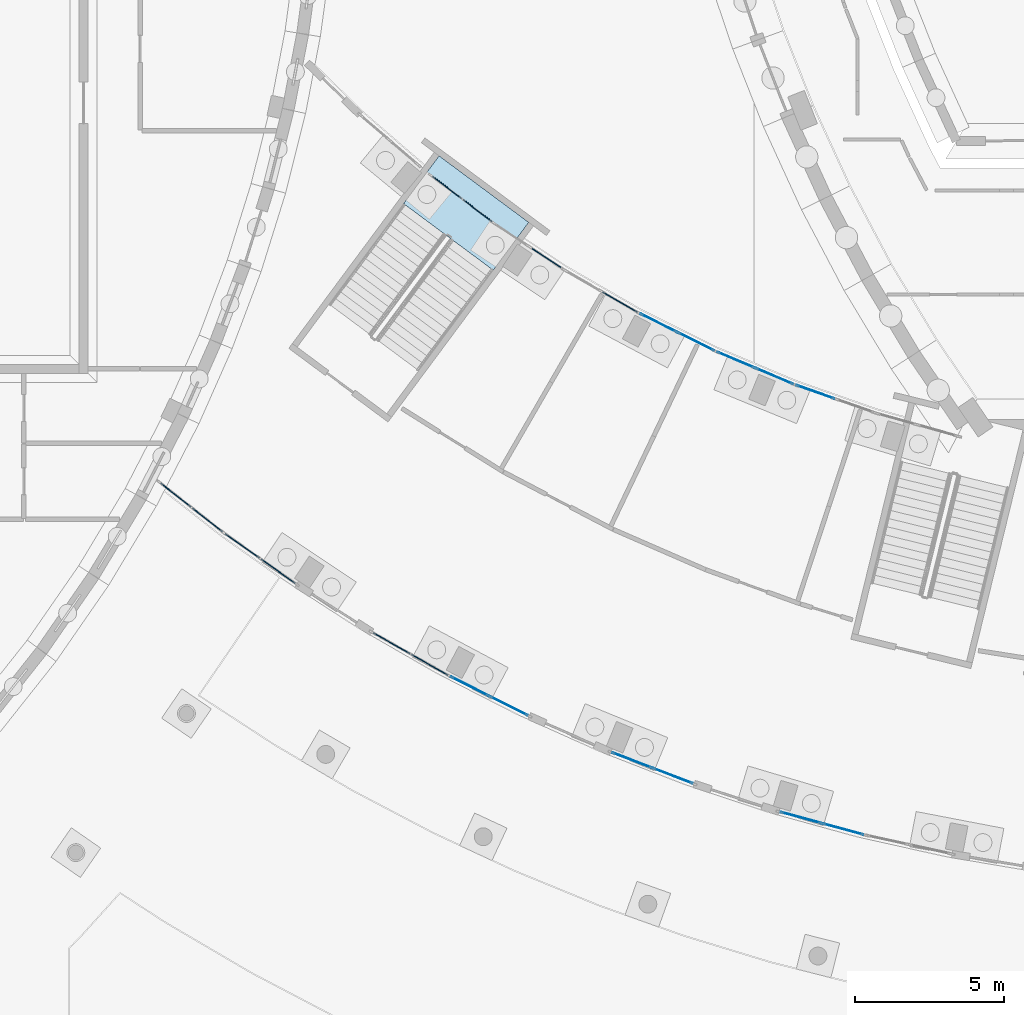
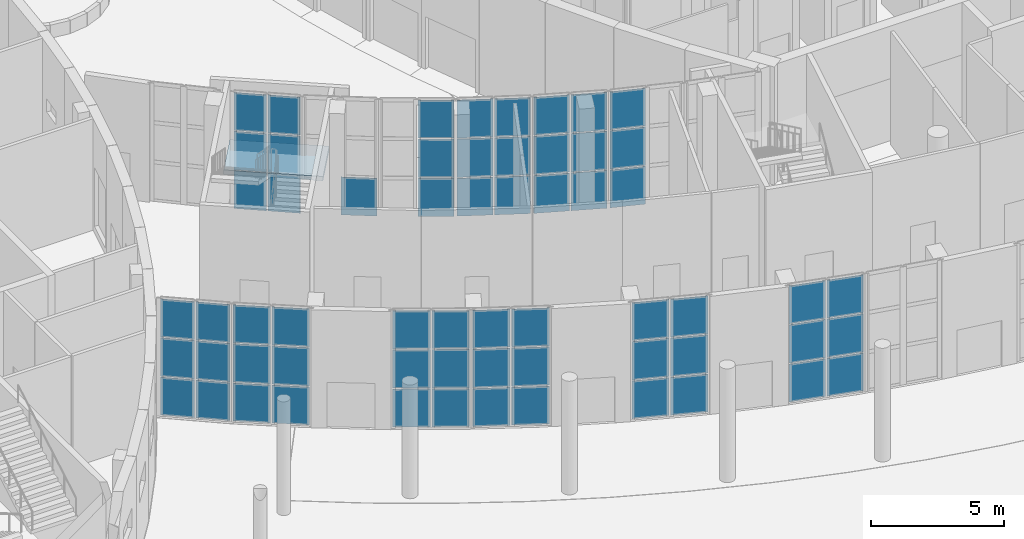
# One storey, part 28 of 82: 61 plates, 1 slab, 13 elements without a shape of their own.
"""IFC4 building model written with IfcOpenShell, lengths in metres."""

import ifcopenshell
import ifcopenshell.guid

model = None  # the IFC model being written
_history = None  # IfcOwnerHistory: only IFC2X3 demands one
_inside = {}  # id of a spatial element -> (the spatial element, [elements in it])
_under = {}  # id of a project, library or spatial element -> (it, [spatial elements below it])
_declared = {}  # id of a project -> (the project, [libraries it declares])
_typed = {}  # id of a type object -> (the type object, [elements of that type])
_made_of = {}  # id of a material, layer set ... -> (it, [elements and type objects made of it])


def new_model(schema):
    """Start an empty IFC model of exactly this schema.

    Asked for "IFC4X3", IfcOpenShell would pick the latest addendum, in which some entities
    have other attributes; the version numbers below select the first issue.
    IFC2X3 requires an IfcOwnerHistory on every rooted entity: one is made here for all.
    """
    global model, _history
    if schema == "IFC4X3":
        model = ifcopenshell.file(schema_version=(4, 3, 0, 0))
    else:
        model = ifcopenshell.file(schema=schema)
    _inside.clear()
    _under.clear()
    _declared.clear()
    _typed.clear()
    _made_of.clear()
    _history = None
    if model.schema == "IFC2X3":
        org = make("IfcOrganization", Name="unknown")
        user = make(
            "IfcPersonAndOrganization",
            ThePerson=make("IfcPerson", FamilyName="unknown"),
            TheOrganization=org,
        )
        app = make(
            "IfcApplication",
            ApplicationDeveloper=org,
            Version="unknown",
            ApplicationFullName="unknown",
            ApplicationIdentifier="unknown",
        )
        _history = make(
            "IfcOwnerHistory",
            OwningUser=user,
            OwningApplication=app,
            ChangeAction="ADDED",
            CreationDate=0,
        )
    return model


def make(cls, **values):
    """One entity of the class cls with the attributes given. An attribute that is None is left unset."""
    return model.create_entity(
        cls, **{name: value for name, value in values.items() if value is not None}
    )


def rooted(cls, **values):
    """An entity with a GlobalId (a new one), such as an element, a storey or a relation."""
    return make(cls, GlobalId=ifcopenshell.guid.new(), OwnerHistory=_history, **values)


def si_unit(unit_type, name, prefix=None):
    """IfcSIUnit, for example si_unit("LENGTHUNIT", "METRE", prefix="MILLI")."""
    return make("IfcSIUnit", UnitType=unit_type, Prefix=prefix, Name=name)


def assignment(units):
    """IfcUnitAssignment: the units of a project."""
    return None if units is None else make("IfcUnitAssignment", Units=units)


def point(xyz):
    """IfcCartesianPoint."""
    return None if xyz is None else make("IfcCartesianPoint", Coordinates=xyz)


def direction(xyz):
    """IfcDirection."""
    return None if xyz is None else make("IfcDirection", DirectionRatios=xyz)


def frame(location, z_axis=None, x_axis=None):
    """IfcAxis2Placement3D, a coordinate frame: its origin and axes. An axis left out is left unset."""
    return make(
        "IfcAxis2Placement3D",
        Location=point(location),
        Axis=direction(z_axis),
        RefDirection=direction(x_axis),
    )


def frame_2d(location, x_axis=None):
    """IfcAxis2Placement2D, a coordinate frame in the plane: its origin and x axis."""
    return make(
        "IfcAxis2Placement2D", Location=point(location), RefDirection=direction(x_axis)
    )


def origin():
    """The frame at (0, 0, 0) with its axes left unset."""
    return frame((0.0, 0.0, 0.0))


def origin_2d():
    """The frame at (0, 0) in the plane with its x axis left unset."""
    return frame_2d((0.0, 0.0))


def place(relative_to, where):
    """IfcLocalPlacement: puts the frame where relative to a parent placement (None: the world)."""
    return make(
        "IfcLocalPlacement", PlacementRelTo=relative_to, RelativePlacement=where
    )


def context(
    kind, dimensions, precision=None, world=None, true_north=None, identifier=None
):
    """IfcGeometricRepresentationContext, for example the 3D "Model" context."""
    return make(
        "IfcGeometricRepresentationContext",
        ContextIdentifier=identifier,
        ContextType=kind,
        CoordinateSpaceDimension=dimensions,
        Precision=precision,
        WorldCoordinateSystem=world,
        TrueNorth=true_north,
    )


def subcontext(parent, identifier, kind, view, scale=None):
    """IfcGeometricRepresentationSubContext, for example "Body" below "Model"."""
    return make(
        "IfcGeometricRepresentationSubContext",
        ContextIdentifier=identifier,
        ContextType=kind,
        ParentContext=parent,
        TargetScale=scale,
        TargetView=view,
    )


def project(units=None, contexts=None):
    """IfcProject with its units and contexts."""
    return rooted(
        "IfcProject",
        Name="project",
        RepresentationContexts=contexts,
        UnitsInContext=assignment(units),
    )


def spatial(cls, under=None, at=None, **own):
    """A site, building, storey or space (cls), placed at a placement, below another one or the project."""
    s = rooted(cls, ObjectPlacement=at, **own)
    if under is not None:
        _under.setdefault(under.id(), (under, []))[1].append(s)
    return s


def polyline(points):
    """IfcPolyline through the points."""
    return make("IfcPolyline", Points=[point(p) for p in points])


def profile(cls, at=None, kind="AREA", **sizes):
    """A parametric profile (cls). Its sizes go by their IFC names, for example OverallWidth=200.0."""
    return make(cls, ProfileType=kind, Position=at, **sizes)


def rectangle(**sizes):
    """IfcRectangleProfileDef."""
    return profile("IfcRectangleProfileDef", **sizes)


def outline(outer, holes=None, kind="AREA"):
    """IfcArbitraryClosedProfileDef: a profile drawn as a closed curve; with holes, ...WithVoids."""
    if holes is None:
        return make("IfcArbitraryClosedProfileDef", ProfileType=kind, OuterCurve=outer)
    return make(
        "IfcArbitraryProfileDefWithVoids",
        ProfileType=kind,
        OuterCurve=outer,
        InnerCurves=holes,
    )


def extrude(swept, where, along, depth):
    """IfcExtrudedAreaSolid: the profile swept, set in the frame where, extruded along a direction by depth."""
    return make(
        "IfcExtrudedAreaSolid",
        SweptArea=swept,
        Position=where,
        ExtrudedDirection=direction(along),
        Depth=depth,
    )


def shape(context_of_items, identifier, shape_type, items):
    """IfcShapeRepresentation: the items that make up one representation, for example the "Body"."""
    return make(
        "IfcShapeRepresentation",
        ContextOfItems=context_of_items,
        RepresentationIdentifier=identifier,
        RepresentationType=shape_type,
        Items=items,
    )


def material(Name=None, Category=None):
    """IfcMaterial."""
    return make("IfcMaterial", Name=Name, Category=Category)


def layer(
    of_material, thickness, ventilated=None, Name=None, Category=None, Priority=None
):
    """IfcMaterialLayer: one layer of a wall or slab, of a material (None: an air gap)."""
    return make(
        "IfcMaterialLayer",
        Material=of_material,
        LayerThickness=thickness,
        IsVentilated=ventilated,
        Name=Name,
        Category=Category,
        Priority=Priority,
    )


def layer_set(layers, Name=None):
    """IfcMaterialLayerSet."""
    return make("IfcMaterialLayerSet", MaterialLayers=layers, LayerSetName=Name)


def made_of(thing, what):
    """Note that an element or type object is made of a material, layer set ...; save() writes the relation."""
    if what is not None:
        _made_of.setdefault(what.id(), (what, []))[1].append(thing)
    return thing


def type_object(cls, material=None, **own):
    """A type object (cls), such as IfcWallType, which elements share."""
    return made_of(rooted(cls, **own), material)


def element(
    cls,
    number,
    at=None,
    inside=None,
    cuts=None,
    type_object=None,
    material=None,
    context=None,
    identifier="Body",
    shape_type=None,
    held_by="IfcProductDefinitionShape",
    body=None,
    shapes=None,
    **own,
):
    """One element of the class cls, such as IfcWall. Its Tag is "e" and its number.

    at: its placement. inside: the storey or other place that contains it. cuts: it is an
    opening in that element (IfcRelVoidsElement). A single representation is given by context,
    identifier, shape_type and body (its items); several are given by shapes. held_by: the class
    of the entity that holds the representations. save() writes the other relations.
    """
    e = rooted(cls, Tag="e%d" % number, ObjectPlacement=at, **own)
    if body is not None:
        shapes = [shape(context, identifier, shape_type, body)]
    if shapes is not None:
        e.Representation = make(held_by, Representations=shapes)
    if inside is not None:
        _inside.setdefault(inside.id(), (inside, []))[1].append(e)
    if cuts is not None:
        rooted(
            "IfcRelVoidsElement", RelatingBuildingElement=cuts, RelatedOpeningElement=e
        )
    if type_object is not None:
        _typed.setdefault(type_object.id(), (type_object, []))[1].append(e)
    return made_of(e, material)


def aggregate(whole, parts):
    """IfcRelAggregates: a whole, such as a stair, and the parts it consists of."""
    return rooted("IfcRelAggregates", RelatingObject=whole, RelatedObjects=parts)


def save(model, path):
    """Write the relations noted so far, then the file.

    IfcRelAggregates (storeys below a building ...), IfcRelContainedInSpatialStructure (elements
    in a storey), IfcRelDefinesByType, IfcRelAssociatesMaterial and IfcRelDeclares: one each for
    every whole, place, type object, material and project.
    """
    for whole, parts in _under.values():
        aggregate(whole, parts)
    for where, things in _inside.values():
        rooted(
            "IfcRelContainedInSpatialStructure",
            RelatedElements=things,
            RelatingStructure=where,
        )
    for kind, things in _typed.values():
        rooted("IfcRelDefinesByType", RelatedObjects=things, RelatingType=kind)
    for what, things in _made_of.values():
        rooted("IfcRelAssociatesMaterial", RelatedObjects=things, RelatingMaterial=what)
    for by, libraries in _declared.values():
        rooted("IfcRelDeclares", RelatingContext=by, RelatedDefinitions=libraries)
    model.write(path)


model = new_model("IFC4")

# Units and contexts
model_context = context("Model", 3, precision=1e-05, world=origin(), true_north=direction((0.0, 1.0)))
body_context = subcontext(model_context, "Body", "Model", "MODEL_VIEW")
ifc_project = project(units=[si_unit("LENGTHUNIT", "METRE"), si_unit("AREAUNIT", "SQUARE_METRE"), si_unit("VOLUMEUNIT", "CUBIC_METRE"), si_unit("PLANEANGLEUNIT", "RADIAN"), si_unit("MASSUNIT", "GRAM", prefix="KILO")], contexts=[model_context])

# Site, building, storey
site_placement = place(None, origin())
site = spatial("IfcSite", under=ifc_project, at=site_placement, CompositionType="ELEMENT")
building_placement = place(site_placement, origin())
building = spatial("IfcBuilding", under=site, at=building_placement, Name="Tide Square Theatres", CompositionType="ELEMENT")
storey_placement = place(building_placement, origin())
storey = spatial("IfcBuildingStorey", under=building, at=storey_placement, Name="L00", CompositionType="ELEMENT", Elevation=0.0)

# Curtain wall, plates
ifc_material_1 = material(Name="Aluminium 6063-T5", Category="aluminium")
curtain_wall_type = type_object("IfcCurtainWallType", Name="Unitised system curtain wall 5400 high", PredefinedType="USERDEFINED", material=ifc_material_1)
curtain_wall_1_placement = place(storey_placement, origin())
curtain_wall_1 = element("IfcCurtainWall", 1, at=curtain_wall_1_placement, inside=storey, type_object=curtain_wall_type, Name="Foyer outer curtain wall", ObjectType="UNITISED SYSTEM", PredefinedType="USERDEFINED")
ifc_material_2 = material(Name="Double-glazed unit with aluminium frame", Category="aluminium")
ifc_layer_1 = layer(ifc_material_2, 0.030029296875)
ifc_layer_set_1 = layer_set([ifc_layer_1], Name="Double-glazed unit with aluminium frame")
plate_type = type_object("IfcPlateType", Name="Curtain wall panel 30 thick", PredefinedType="CURTAIN_PANEL", material=ifc_layer_set_1)
plate_1_placement = place(storey_placement, frame((46.6025390625, 21.261474609375, 0.050048828125), z_axis=(0.0, 0.0, 1.0), x_axis=(0.786485090221, -0.617609263904, 0.0)))
plate_1 = element("IfcPlate", 2, at=plate_1_placement, type_object=plate_type, Name="CW-01 panel 1.1", PredefinedType="CURTAIN_PANEL", context=body_context, shape_type="SweptSolid", body=[
    extrude(rectangle(XDim=1.283203125, YDim=0.030029296875, at=origin_2d()), origin(), (0.0, 0.0, 1.0), 1.72509765625),
])
plate_2_placement = place(storey_placement, frame((46.6025390625, 21.261474609375, 1.824951171875), z_axis=(0.0, 0.0, 1.0), x_axis=(0.786485090221, -0.617609263904, 0.0)))
plate_2 = element("IfcPlate", 3, at=plate_2_placement, type_object=plate_type, Name="CW-01 panel 1.2", PredefinedType="CURTAIN_PANEL", context=body_context, shape_type="SweptSolid", body=[
    extrude(rectangle(XDim=1.283203125, YDim=0.030029296875, at=origin_2d()), origin(), (0.0, 0.0, 1.0), 1.75),
])
plate_3_placement = place(storey_placement, frame((46.6025390625, 21.261474609375, 3.625), z_axis=(0.0, 0.0, 1.0), x_axis=(0.786485090221, -0.617609263904, 0.0)))
plate_3 = element("IfcPlate", 4, at=plate_3_placement, type_object=plate_type, Name="CW-01 panel 1.3", PredefinedType="CURTAIN_PANEL", context=body_context, shape_type="SweptSolid", body=[
    extrude(rectangle(XDim=1.283203125, YDim=0.030029296875, at=origin_2d()), origin(), (0.0, 0.0, 1.0), 1.72509765625),
])
plate_4_placement = place(storey_placement, frame((47.658935546875, 20.431884765625, 0.050048828125), z_axis=(0.0, 0.0, 1.0), x_axis=(0.786485090221, -0.617609263904, 0.0)))
plate_4 = element("IfcPlate", 5, at=plate_4_placement, type_object=plate_type, Name="CW-01 panel 2.1", PredefinedType="CURTAIN_PANEL", context=body_context, shape_type="SweptSolid", body=[
    extrude(rectangle(XDim=1.283203125, YDim=0.030029296875, at=origin_2d()), origin(), (0.0, 0.0, 1.0), 1.72509765625),
])
plate_5_placement = place(storey_placement, frame((47.658935546875, 20.431884765625, 1.824951171875), z_axis=(0.0, 0.0, 1.0), x_axis=(0.786485090221, -0.617609263904, 0.0)))
plate_5 = element("IfcPlate", 6, at=plate_5_placement, type_object=plate_type, Name="CW-01 panel 2.2", PredefinedType="CURTAIN_PANEL", context=body_context, shape_type="SweptSolid", body=[
    extrude(rectangle(XDim=1.283203125, YDim=0.030029296875, at=origin_2d()), origin(), (0.0, 0.0, 1.0), 1.75),
])
plate_6_placement = place(storey_placement, frame((47.658935546875, 20.431884765625, 3.625), z_axis=(0.0, 0.0, 1.0), x_axis=(0.786485090221, -0.617609263904, 0.0)))
plate_6 = element("IfcPlate", 7, at=plate_6_placement, type_object=plate_type, Name="CW-01 panel 2.3", PredefinedType="CURTAIN_PANEL", context=body_context, shape_type="SweptSolid", body=[
    extrude(rectangle(XDim=1.283203125, YDim=0.030029296875, at=origin_2d()), origin(), (0.0, 0.0, 1.0), 1.72509765625),
])
aggregate(curtain_wall_1, [plate_1, plate_2, plate_3, plate_4, plate_5, plate_6])

curtain_wall_2_placement = place(storey_placement, origin())
curtain_wall_2 = element("IfcCurtainWall", 8, at=curtain_wall_2_placement, inside=storey, type_object=curtain_wall_type, Name="Foyer outer curtain wall", ObjectType="UNITISED SYSTEM", PredefinedType="USERDEFINED")
plate_7_placement = place(storey_placement, frame((48.83447265625, 19.557373046875, 0.050048828125), z_axis=(0.0, 0.0, 1.0), x_axis=(0.816388388415, -0.577503246104, 0.0)))
plate_7 = element("IfcPlate", 9, at=plate_7_placement, type_object=plate_type, Name="CW-01 panel 1.1", PredefinedType="CURTAIN_PANEL", context=body_context, shape_type="SweptSolid", body=[
    extrude(rectangle(XDim=1.407958984375, YDim=0.030029296875, at=origin_2d()), origin(), (0.0, 0.0, 1.0), 1.72509765625),
])
plate_8_placement = place(storey_placement, frame((48.83447265625, 19.557373046875, 1.824951171875), z_axis=(0.0, 0.0, 1.0), x_axis=(0.816388388415, -0.577503246104, 0.0)))
plate_8 = element("IfcPlate", 10, at=plate_8_placement, type_object=plate_type, Name="CW-01 panel 1.2", PredefinedType="CURTAIN_PANEL", context=body_context, shape_type="SweptSolid", body=[
    extrude(rectangle(XDim=1.407958984375, YDim=0.030029296875, at=origin_2d()), origin(), (0.0, 0.0, 1.0), 1.75),
])
plate_9_placement = place(storey_placement, frame((48.83447265625, 19.557373046875, 3.625), z_axis=(0.0, 0.0, 1.0), x_axis=(0.816388388415, -0.577503246104, 0.0)))
plate_9 = element("IfcPlate", 11, at=plate_9_placement, type_object=plate_type, Name="CW-01 panel 1.3", PredefinedType="CURTAIN_PANEL", context=body_context, shape_type="SweptSolid", body=[
    extrude(rectangle(XDim=1.407958984375, YDim=0.030029296875, at=origin_2d()), origin(), (0.0, 0.0, 1.0), 1.72509765625),
])
plate_10_placement = place(storey_placement, frame((50.032958984375, 18.70947265625, 0.050048828125), z_axis=(0.0, 0.0, 1.0), x_axis=(0.816388388415, -0.577503246104, 0.0)))
plate_10 = element("IfcPlate", 12, at=plate_10_placement, type_object=plate_type, Name="CW-01 panel 2.1", PredefinedType="CURTAIN_PANEL", context=body_context, shape_type="SweptSolid", body=[
    extrude(rectangle(XDim=1.407958984375, YDim=0.030029296875, at=origin_2d()), origin(), (0.0, 0.0, 1.0), 1.72509765625),
])
plate_11_placement = place(storey_placement, frame((50.032958984375, 18.70947265625, 1.824951171875), z_axis=(0.0, 0.0, 1.0), x_axis=(0.816388388415, -0.577503246104, 0.0)))
plate_11 = element("IfcPlate", 13, at=plate_11_placement, type_object=plate_type, Name="CW-01 panel 2.2", PredefinedType="CURTAIN_PANEL", context=body_context, shape_type="SweptSolid", body=[
    extrude(rectangle(XDim=1.407958984375, YDim=0.030029296875, at=origin_2d()), origin(), (0.0, 0.0, 1.0), 1.75),
])
plate_12_placement = place(storey_placement, frame((50.032958984375, 18.70947265625, 3.625), z_axis=(0.0, 0.0, 1.0), x_axis=(0.816388388415, -0.577503246104, 0.0)))
plate_12 = element("IfcPlate", 14, at=plate_12_placement, type_object=plate_type, Name="CW-01 panel 2.3", PredefinedType="CURTAIN_PANEL", context=body_context, shape_type="SweptSolid", body=[
    extrude(rectangle(XDim=1.407958984375, YDim=0.030029296875, at=origin_2d()), origin(), (0.0, 0.0, 1.0), 1.72509765625),
])
aggregate(curtain_wall_2, [plate_7, plate_8, plate_9, plate_10, plate_11, plate_12])

curtain_wall_3_placement = place(storey_placement, origin())
curtain_wall_3 = element("IfcCurtainWall", 15, at=curtain_wall_3_placement, inside=storey, type_object=curtain_wall_type, Name="Foyer outer curtain wall", ObjectType="UNITISED SYSTEM", PredefinedType="USERDEFINED")
plate_13_placement = place(storey_placement, frame((53.850830078125, 16.2861328125, 0.050048828125), z_axis=(0.0, 0.0, 1.0), x_axis=(0.870018368037, -0.493019309235, 0.0)))
plate_13 = element("IfcPlate", 16, at=plate_13_placement, type_object=plate_type, Name="CW-01 panel 1.1", PredefinedType="CURTAIN_PANEL", context=body_context, shape_type="SweptSolid", body=[
    extrude(rectangle(XDim=1.407958984375, YDim=0.030029296875, at=origin_2d()), origin(), (0.0, 0.0, 1.0), 1.72509765625),
])
plate_14_placement = place(storey_placement, frame((53.850830078125, 16.2861328125, 1.824951171875), z_axis=(0.0, 0.0, 1.0), x_axis=(0.870018368037, -0.493019309235, 0.0)))
plate_14 = element("IfcPlate", 17, at=plate_14_placement, type_object=plate_type, Name="CW-01 panel 1.2", PredefinedType="CURTAIN_PANEL", context=body_context, shape_type="SweptSolid", body=[
    extrude(rectangle(XDim=1.407958984375, YDim=0.030029296875, at=origin_2d()), origin(), (0.0, 0.0, 1.0), 1.75),
])
plate_15_placement = place(storey_placement, frame((53.850830078125, 16.2861328125, 3.625), z_axis=(0.0, 0.0, 1.0), x_axis=(0.870018368037, -0.493019309235, 0.0)))
plate_15 = element("IfcPlate", 18, at=plate_15_placement, type_object=plate_type, Name="CW-01 panel 1.3", PredefinedType="CURTAIN_PANEL", context=body_context, shape_type="SweptSolid", body=[
    extrude(rectangle(XDim=1.407958984375, YDim=0.030029296875, at=origin_2d()), origin(), (0.0, 0.0, 1.0), 1.72509765625),
])
plate_16_placement = place(storey_placement, frame((55.1279296875, 15.562255859375, 0.050048828125), z_axis=(0.0, 0.0, 1.0), x_axis=(0.870018368037, -0.493019309235, 0.0)))
plate_16 = element("IfcPlate", 19, at=plate_16_placement, type_object=plate_type, Name="CW-01 panel 2.1", PredefinedType="CURTAIN_PANEL", context=body_context, shape_type="SweptSolid", body=[
    extrude(rectangle(XDim=1.407958984375, YDim=0.030029296875, at=origin_2d()), origin(), (0.0, 0.0, 1.0), 1.72509765625),
])
plate_17_placement = place(storey_placement, frame((55.1279296875, 15.562255859375, 1.824951171875), z_axis=(0.0, 0.0, 1.0), x_axis=(0.870018368037, -0.493019309235, 0.0)))
plate_17 = element("IfcPlate", 20, at=plate_17_placement, type_object=plate_type, Name="CW-01 panel 2.2", PredefinedType="CURTAIN_PANEL", context=body_context, shape_type="SweptSolid", body=[
    extrude(rectangle(XDim=1.407958984375, YDim=0.030029296875, at=origin_2d()), origin(), (0.0, 0.0, 1.0), 1.75),
])
plate_18_placement = place(storey_placement, frame((55.1279296875, 15.562255859375, 3.625), z_axis=(0.0, 0.0, 1.0), x_axis=(0.870018368037, -0.493019309235, 0.0)))
plate_18 = element("IfcPlate", 21, at=plate_18_placement, type_object=plate_type, Name="CW-01 panel 2.3", PredefinedType="CURTAIN_PANEL", context=body_context, shape_type="SweptSolid", body=[
    extrude(rectangle(XDim=1.407958984375, YDim=0.030029296875, at=origin_2d()), origin(), (0.0, 0.0, 1.0), 1.72509765625),
])
aggregate(curtain_wall_3, [plate_13, plate_14, plate_15, plate_16, plate_17, plate_18])

curtain_wall_4_placement = place(storey_placement, origin())
curtain_wall_4 = element("IfcCurtainWall", 22, at=curtain_wall_4_placement, inside=storey, type_object=curtain_wall_type, Name="Foyer outer curtain wall", ObjectType="UNITISED SYSTEM", PredefinedType="USERDEFINED")
plate_19_placement = place(storey_placement, frame((56.475341796875, 14.8427734375, 0.050048828125), z_axis=(0.0, 0.0, 1.0), x_axis=(0.893597882501, -0.448868382034, 0.0)))
plate_19 = element("IfcPlate", 23, at=plate_19_placement, type_object=plate_type, Name="CW-01 panel 1.1", PredefinedType="CURTAIN_PANEL", context=body_context, shape_type="SweptSolid", body=[
    extrude(rectangle(XDim=1.407958984375, YDim=0.030029296875, at=origin_2d()), origin(), (0.0, 0.0, 1.0), 1.72509765625),
])
plate_20_placement = place(storey_placement, frame((56.475341796875, 14.8427734375, 1.824951171875), z_axis=(0.0, 0.0, 1.0), x_axis=(0.893597882501, -0.448868382034, 0.0)))
plate_20 = element("IfcPlate", 24, at=plate_20_placement, type_object=plate_type, Name="CW-01 panel 1.2", PredefinedType="CURTAIN_PANEL", context=body_context, shape_type="SweptSolid", body=[
    extrude(rectangle(XDim=1.407958984375, YDim=0.030029296875, at=origin_2d()), origin(), (0.0, 0.0, 1.0), 1.75),
])
plate_21_placement = place(storey_placement, frame((56.475341796875, 14.8427734375, 3.625), z_axis=(0.0, 0.0, 1.0), x_axis=(0.893597882501, -0.448868382034, 0.0)))
plate_21 = element("IfcPlate", 25, at=plate_21_placement, type_object=plate_type, Name="CW-01 panel 1.3", PredefinedType="CURTAIN_PANEL", context=body_context, shape_type="SweptSolid", body=[
    extrude(rectangle(XDim=1.407958984375, YDim=0.030029296875, at=origin_2d()), origin(), (0.0, 0.0, 1.0), 1.72509765625),
])
plate_22_placement = place(storey_placement, frame((57.787109375, 14.183837890625, 0.050048828125), z_axis=(0.0, 0.0, 1.0), x_axis=(0.893597882501, -0.448868382034, 0.0)))
plate_22 = element("IfcPlate", 26, at=plate_22_placement, type_object=plate_type, Name="CW-01 panel 2.1", PredefinedType="CURTAIN_PANEL", context=body_context, shape_type="SweptSolid", body=[
    extrude(rectangle(XDim=1.407958984375, YDim=0.030029296875, at=origin_2d()), origin(), (0.0, 0.0, 1.0), 1.72509765625),
])
plate_23_placement = place(storey_placement, frame((57.787109375, 14.183837890625, 1.824951171875), z_axis=(0.0, 0.0, 1.0), x_axis=(0.893597882501, -0.448868382034, 0.0)))
plate_23 = element("IfcPlate", 27, at=plate_23_placement, type_object=plate_type, Name="CW-01 panel 2.2", PredefinedType="CURTAIN_PANEL", context=body_context, shape_type="SweptSolid", body=[
    extrude(rectangle(XDim=1.407958984375, YDim=0.030029296875, at=origin_2d()), origin(), (0.0, 0.0, 1.0), 1.75),
])
plate_24_placement = place(storey_placement, frame((57.787109375, 14.183837890625, 3.625), z_axis=(0.0, 0.0, 1.0), x_axis=(0.893597882501, -0.448868382034, 0.0)))
plate_24 = element("IfcPlate", 28, at=plate_24_placement, type_object=plate_type, Name="CW-01 panel 2.3", PredefinedType="CURTAIN_PANEL", context=body_context, shape_type="SweptSolid", body=[
    extrude(rectangle(XDim=1.407958984375, YDim=0.030029296875, at=origin_2d()), origin(), (0.0, 0.0, 1.0), 1.72509765625),
])
aggregate(curtain_wall_4, [plate_19, plate_20, plate_21, plate_22, plate_23, plate_24])

curtain_wall_5_placement = place(storey_placement, origin())
curtain_wall_5 = element("IfcCurtainWall", 29, at=curtain_wall_5_placement, inside=storey, type_object=curtain_wall_type, Name="Foyer outer curtain wall", ObjectType="UNITISED SYSTEM", PredefinedType="USERDEFINED")
plate_25_placement = place(storey_placement, frame((61.924560546875, 12.3583984375, 0.050048828125), z_axis=(0.0, 0.0, 1.0), x_axis=(0.933969610321, -0.357352440873, 0.0)))
plate_25 = element("IfcPlate", 30, at=plate_25_placement, type_object=plate_type, Name="CW-01 panel 1.1", PredefinedType="CURTAIN_PANEL", context=body_context, shape_type="SweptSolid", body=[
    extrude(rectangle(XDim=1.407958984375, YDim=0.030029296875, at=origin_2d()), origin(), (0.0, 0.0, 1.0), 1.72509765625),
])
plate_26_placement = place(storey_placement, frame((61.924560546875, 12.3583984375, 1.824951171875), z_axis=(0.0, 0.0, 1.0), x_axis=(0.933969610321, -0.357352440873, 0.0)))
plate_26 = element("IfcPlate", 31, at=plate_26_placement, type_object=plate_type, Name="CW-01 panel 1.2", PredefinedType="CURTAIN_PANEL", context=body_context, shape_type="SweptSolid", body=[
    extrude(rectangle(XDim=1.407958984375, YDim=0.030029296875, at=origin_2d()), origin(), (0.0, 0.0, 1.0), 1.75),
])
plate_27_placement = place(storey_placement, frame((61.924560546875, 12.3583984375, 3.625), z_axis=(0.0, 0.0, 1.0), x_axis=(0.933969610321, -0.357352440873, 0.0)))
plate_27 = element("IfcPlate", 32, at=plate_27_placement, type_object=plate_type, Name="CW-01 panel 1.3", PredefinedType="CURTAIN_PANEL", context=body_context, shape_type="SweptSolid", body=[
    extrude(rectangle(XDim=1.407958984375, YDim=0.030029296875, at=origin_2d()), origin(), (0.0, 0.0, 1.0), 1.72509765625),
])
plate_28_placement = place(storey_placement, frame((63.295654296875, 11.833984375, 0.050048828125), z_axis=(0.0, 0.0, 1.0), x_axis=(0.933969610321, -0.357352440873, 0.0)))
plate_28 = element("IfcPlate", 33, at=plate_28_placement, type_object=plate_type, Name="CW-01 panel 2.1", PredefinedType="CURTAIN_PANEL", context=body_context, shape_type="SweptSolid", body=[
    extrude(rectangle(XDim=1.407958984375, YDim=0.030029296875, at=origin_2d()), origin(), (0.0, 0.0, 1.0), 1.72509765625),
])
plate_29_placement = place(storey_placement, frame((63.295654296875, 11.833984375, 1.824951171875), z_axis=(0.0, 0.0, 1.0), x_axis=(0.933969610321, -0.357352440873, 0.0)))
plate_29 = element("IfcPlate", 34, at=plate_29_placement, type_object=plate_type, Name="CW-01 panel 2.2", PredefinedType="CURTAIN_PANEL", context=body_context, shape_type="SweptSolid", body=[
    extrude(rectangle(XDim=1.407958984375, YDim=0.030029296875, at=origin_2d()), origin(), (0.0, 0.0, 1.0), 1.75),
])
plate_30_placement = place(storey_placement, frame((63.295654296875, 11.833984375, 3.625), z_axis=(0.0, 0.0, 1.0), x_axis=(0.933969610321, -0.357352440873, 0.0)))
plate_30 = element("IfcPlate", 35, at=plate_30_placement, type_object=plate_type, Name="CW-01 panel 2.3", PredefinedType="CURTAIN_PANEL", context=body_context, shape_type="SweptSolid", body=[
    extrude(rectangle(XDim=1.407958984375, YDim=0.030029296875, at=origin_2d()), origin(), (0.0, 0.0, 1.0), 1.72509765625),
])
aggregate(curtain_wall_5, [plate_25, plate_26, plate_27, plate_28, plate_29, plate_30])

curtain_wall_6_placement = place(storey_placement, origin())
curtain_wall_6 = element("IfcCurtainWall", 36, at=curtain_wall_6_placement, inside=storey, type_object=curtain_wall_type, Name="Foyer outer curtain wall", ObjectType="UNITISED SYSTEM", PredefinedType="USERDEFINED")
plate_31_placement = place(storey_placement, frame((67.594482421875, 10.43115234375, 0.050048828125), z_axis=(0.0, 0.0, 1.0), x_axis=(0.96500987783, -0.262213530715, 0.0)))
plate_31 = element("IfcPlate", 37, at=plate_31_placement, type_object=plate_type, Name="CW-01 panel 1.1", PredefinedType="CURTAIN_PANEL", context=body_context, shape_type="SweptSolid", body=[
    extrude(rectangle(XDim=1.407958984375, YDim=0.030029296875, at=origin_2d()), origin(), (0.0, 0.0, 1.0), 1.72509765625),
])
plate_32_placement = place(storey_placement, frame((67.594482421875, 10.43115234375, 1.824951171875), z_axis=(0.0, 0.0, 1.0), x_axis=(0.96500987783, -0.262213530715, 0.0)))
plate_32 = element("IfcPlate", 38, at=plate_32_placement, type_object=plate_type, Name="CW-01 panel 1.2", PredefinedType="CURTAIN_PANEL", context=body_context, shape_type="SweptSolid", body=[
    extrude(rectangle(XDim=1.407958984375, YDim=0.030029296875, at=origin_2d()), origin(), (0.0, 0.0, 1.0), 1.75),
])
plate_33_placement = place(storey_placement, frame((67.594482421875, 10.43115234375, 3.625), z_axis=(0.0, 0.0, 1.0), x_axis=(0.96500987783, -0.262213530715, 0.0)))
plate_33 = element("IfcPlate", 39, at=plate_33_placement, type_object=plate_type, Name="CW-01 panel 1.3", PredefinedType="CURTAIN_PANEL", context=body_context, shape_type="SweptSolid", body=[
    extrude(rectangle(XDim=1.407958984375, YDim=0.030029296875, at=origin_2d()), origin(), (0.0, 0.0, 1.0), 1.72509765625),
])
plate_34_placement = place(storey_placement, frame((69.01123046875, 10.046142578125, 0.050048828125), z_axis=(0.0, 0.0, 1.0), x_axis=(0.96500987783, -0.262213530715, 0.0)))
plate_34 = element("IfcPlate", 40, at=plate_34_placement, type_object=plate_type, Name="CW-01 panel 2.1", PredefinedType="CURTAIN_PANEL", context=body_context, shape_type="SweptSolid", body=[
    extrude(rectangle(XDim=1.407958984375, YDim=0.030029296875, at=origin_2d()), origin(), (0.0, 0.0, 1.0), 1.72509765625),
])
plate_35_placement = place(storey_placement, frame((69.01123046875, 10.046142578125, 1.824951171875), z_axis=(0.0, 0.0, 1.0), x_axis=(0.96500987783, -0.262213530715, 0.0)))
plate_35 = element("IfcPlate", 41, at=plate_35_placement, type_object=plate_type, Name="CW-01 panel 2.2", PredefinedType="CURTAIN_PANEL", context=body_context, shape_type="SweptSolid", body=[
    extrude(rectangle(XDim=1.407958984375, YDim=0.030029296875, at=origin_2d()), origin(), (0.0, 0.0, 1.0), 1.75),
])
plate_36_placement = place(storey_placement, frame((69.01123046875, 10.046142578125, 3.625), z_axis=(0.0, 0.0, 1.0), x_axis=(0.96500987783, -0.262213530715, 0.0)))
plate_36 = element("IfcPlate", 42, at=plate_36_placement, type_object=plate_type, Name="CW-01 panel 2.3", PredefinedType="CURTAIN_PANEL", context=body_context, shape_type="SweptSolid", body=[
    extrude(rectangle(XDim=1.407958984375, YDim=0.030029296875, at=origin_2d()), origin(), (0.0, 0.0, 1.0), 1.72509765625),
])
aggregate(curtain_wall_6, [plate_31, plate_32, plate_33, plate_34, plate_35, plate_36])

curtain_wall_7_placement = place(storey_placement, origin())
curtain_wall_7 = element("IfcCurtainWall", 43, at=curtain_wall_7_placement, inside=storey, type_object=curtain_wall_type, Name="Foyer inner curtain wall", ObjectType="UNITISED SYSTEM", PredefinedType="USERDEFINED")
plate_37_placement = place(storey_placement, frame((68.080322265625, 24.7275390625, 0.050048828125), z_axis=(0.0, 0.0, 1.0), x_axis=(-0.943674173713, 0.330876191147, 0.0)))
plate_37 = element("IfcPlate", 44, at=plate_37_placement, type_object=plate_type, Name="CW-01 panel 2.1", PredefinedType="CURTAIN_PANEL", context=body_context, shape_type="SweptSolid", body=[
    extrude(rectangle(XDim=1.35009765625, YDim=0.030029296875, at=origin_2d()), origin(), (0.0, 0.0, 1.0), 1.72509765625),
])
plate_38_placement = place(storey_placement, frame((68.080322265625, 24.7275390625, 1.824951171875), z_axis=(0.0, 0.0, 1.0), x_axis=(-0.943674173713, 0.330876191147, 0.0)))
plate_38 = element("IfcPlate", 45, at=plate_38_placement, type_object=plate_type, Name="CW-01 panel 2.2", PredefinedType="CURTAIN_PANEL", context=body_context, shape_type="SweptSolid", body=[
    extrude(rectangle(XDim=1.35009765625, YDim=0.030029296875, at=origin_2d()), origin(), (0.0, 0.0, 1.0), 1.75),
])
plate_39_placement = place(storey_placement, frame((68.080322265625, 24.7275390625, 3.625), z_axis=(0.0, 0.0, 1.0), x_axis=(-0.943674173713, 0.330876191147, 0.0)))
plate_39 = element("IfcPlate", 46, at=plate_39_placement, type_object=plate_type, Name="CW-01 panel 2.3", PredefinedType="CURTAIN_PANEL", context=body_context, shape_type="SweptSolid", body=[
    extrude(rectangle(XDim=1.35009765625, YDim=0.030029296875, at=origin_2d()), origin(), (0.0, 0.0, 1.0), 1.72509765625),
])
aggregate(curtain_wall_7, [plate_37, plate_38, plate_39])

curtain_wall_8_placement = place(storey_placement, origin())
curtain_wall_8 = element("IfcCurtainWall", 47, at=curtain_wall_8_placement, inside=storey, type_object=curtain_wall_type, Name="Foyer inner curtain wall", ObjectType="UNITISED SYSTEM", PredefinedType="USERDEFINED")
plate_40_placement = place(storey_placement, frame((66.70947265625, 25.2568359375, 0.050048828125), z_axis=(0.0, 0.0, 1.0), x_axis=(-0.92117987465, 0.389137043393, 0.0)))
plate_40 = element("IfcPlate", 48, at=plate_40_placement, type_object=plate_type, Name="CW-01 panel 1.1", PredefinedType="CURTAIN_PANEL", context=body_context, shape_type="SweptSolid", body=[
    extrude(rectangle(XDim=1.35009765625, YDim=0.030029296875, at=origin_2d()), origin(), (0.0, 0.0, 1.0), 1.72509765625),
])
plate_41_placement = place(storey_placement, frame((66.70947265625, 25.2568359375, 1.824951171875), z_axis=(0.0, 0.0, 1.0), x_axis=(-0.92117987465, 0.389137043393, 0.0)))
plate_41 = element("IfcPlate", 49, at=plate_41_placement, type_object=plate_type, Name="CW-01 panel 1.2", PredefinedType="CURTAIN_PANEL", context=body_context, shape_type="SweptSolid", body=[
    extrude(rectangle(XDim=1.35009765625, YDim=0.030029296875, at=origin_2d()), origin(), (0.0, 0.0, 1.0), 1.75),
])
plate_42_placement = place(storey_placement, frame((66.70947265625, 25.2568359375, 3.625), z_axis=(0.0, 0.0, 1.0), x_axis=(-0.92117987465, 0.389137043393, 0.0)))
plate_42 = element("IfcPlate", 50, at=plate_42_placement, type_object=plate_type, Name="CW-01 panel 1.3", PredefinedType="CURTAIN_PANEL", context=body_context, shape_type="SweptSolid", body=[
    extrude(rectangle(XDim=1.35009765625, YDim=0.030029296875, at=origin_2d()), origin(), (0.0, 0.0, 1.0), 1.72509765625),
])
plate_43_placement = place(storey_placement, frame((65.41064453125, 25.805419921875, 0.050048828125), z_axis=(0.0, 0.0, 1.0), x_axis=(-0.92117987465, 0.389137043393, 0.0)))
plate_43 = element("IfcPlate", 51, at=plate_43_placement, type_object=plate_type, Name="CW-01 panel 2.1", PredefinedType="CURTAIN_PANEL", context=body_context, shape_type="SweptSolid", body=[
    extrude(rectangle(XDim=1.35009765625, YDim=0.030029296875, at=origin_2d()), origin(), (0.0, 0.0, 1.0), 1.72509765625),
])
plate_44_placement = place(storey_placement, frame((65.41064453125, 25.805419921875, 1.824951171875), z_axis=(0.0, 0.0, 1.0), x_axis=(-0.92117987465, 0.389137043393, 0.0)))
plate_44 = element("IfcPlate", 52, at=plate_44_placement, type_object=plate_type, Name="CW-01 panel 2.2", PredefinedType="CURTAIN_PANEL", context=body_context, shape_type="SweptSolid", body=[
    extrude(rectangle(XDim=1.35009765625, YDim=0.030029296875, at=origin_2d()), origin(), (0.0, 0.0, 1.0), 1.75),
])
plate_45_placement = place(storey_placement, frame((65.41064453125, 25.805419921875, 3.625), z_axis=(0.0, 0.0, 1.0), x_axis=(-0.92117987465, 0.389137043393, 0.0)))
plate_45 = element("IfcPlate", 53, at=plate_45_placement, type_object=plate_type, Name="CW-01 panel 2.3", PredefinedType="CURTAIN_PANEL", context=body_context, shape_type="SweptSolid", body=[
    extrude(rectangle(XDim=1.35009765625, YDim=0.030029296875, at=origin_2d()), origin(), (0.0, 0.0, 1.0), 1.72509765625),
])
aggregate(curtain_wall_8, [plate_40, plate_41, plate_42, plate_43, plate_44, plate_45])

curtain_wall_9_placement = place(storey_placement, origin())
curtain_wall_9 = element("IfcCurtainWall", 54, at=curtain_wall_9_placement, inside=storey, type_object=curtain_wall_type, Name="Foyer inner curtain wall", ObjectType="UNITISED SYSTEM", PredefinedType="USERDEFINED")
plate_46_placement = place(storey_placement, frame((64.075439453125, 26.419189453125, 0.050048828125), z_axis=(0.0, 0.0, 1.0), x_axis=(-0.895099732061, 0.445865977245, 0.0)))
plate_46 = element("IfcPlate", 55, at=plate_46_placement, type_object=plate_type, Name="CW-01 panel 1.1", PredefinedType="CURTAIN_PANEL", context=body_context, shape_type="SweptSolid", body=[
    extrude(rectangle(XDim=1.35009765625, YDim=0.030029296875, at=origin_2d()), origin(), (0.0, 0.0, 1.0), 1.72509765625),
])
plate_47_placement = place(storey_placement, frame((64.075439453125, 26.419189453125, 1.824951171875), z_axis=(0.0, 0.0, 1.0), x_axis=(-0.895099732061, 0.445865977245, 0.0)))
plate_47 = element("IfcPlate", 56, at=plate_47_placement, type_object=plate_type, Name="CW-01 panel 1.2", PredefinedType="CURTAIN_PANEL", context=body_context, shape_type="SweptSolid", body=[
    extrude(rectangle(XDim=1.35009765625, YDim=0.030029296875, at=origin_2d()), origin(), (0.0, 0.0, 1.0), 1.75),
])
plate_48_placement = place(storey_placement, frame((64.075439453125, 26.419189453125, 3.625), z_axis=(0.0, 0.0, 1.0), x_axis=(-0.895099732061, 0.445865977245, 0.0)))
plate_48 = element("IfcPlate", 57, at=plate_48_placement, type_object=plate_type, Name="CW-01 panel 1.3", PredefinedType="CURTAIN_PANEL", context=body_context, shape_type="SweptSolid", body=[
    extrude(rectangle(XDim=1.35009765625, YDim=0.030029296875, at=origin_2d()), origin(), (0.0, 0.0, 1.0), 1.72509765625),
])
plate_49_placement = place(storey_placement, frame((62.813232421875, 27.0478515625, 0.050048828125), z_axis=(0.0, 0.0, 1.0), x_axis=(-0.895099732061, 0.445865977245, 0.0)))
plate_49 = element("IfcPlate", 58, at=plate_49_placement, type_object=plate_type, Name="CW-01 panel 2.1", PredefinedType="CURTAIN_PANEL", context=body_context, shape_type="SweptSolid", body=[
    extrude(rectangle(XDim=1.35009765625, YDim=0.030029296875, at=origin_2d()), origin(), (0.0, 0.0, 1.0), 1.72509765625),
])
plate_50_placement = place(storey_placement, frame((62.813232421875, 27.0478515625, 1.824951171875), z_axis=(0.0, 0.0, 1.0), x_axis=(-0.895099732061, 0.445865977245, 0.0)))
plate_50 = element("IfcPlate", 59, at=plate_50_placement, type_object=plate_type, Name="CW-01 panel 2.2", PredefinedType="CURTAIN_PANEL", context=body_context, shape_type="SweptSolid", body=[
    extrude(rectangle(XDim=1.35009765625, YDim=0.030029296875, at=origin_2d()), origin(), (0.0, 0.0, 1.0), 1.75),
])
plate_51_placement = place(storey_placement, frame((62.813232421875, 27.0478515625, 3.625), z_axis=(0.0, 0.0, 1.0), x_axis=(-0.895099732061, 0.445865977245, 0.0)))
plate_51 = element("IfcPlate", 60, at=plate_51_placement, type_object=plate_type, Name="CW-01 panel 2.3", PredefinedType="CURTAIN_PANEL", context=body_context, shape_type="SweptSolid", body=[
    extrude(rectangle(XDim=1.35009765625, YDim=0.030029296875, at=origin_2d()), origin(), (0.0, 0.0, 1.0), 1.72509765625),
])
aggregate(curtain_wall_9, [plate_46, plate_47, plate_48, plate_49, plate_50, plate_51])

curtain_wall_10_placement = place(storey_placement, origin())
curtain_wall_10 = element("IfcCurtainWall", 61, at=curtain_wall_10_placement, inside=storey, type_object=curtain_wall_type, Name="Foyer inner curtain wall", ObjectType="UNITISED SYSTEM", PredefinedType="USERDEFINED")
plate_52_placement = place(storey_placement, frame((61.519287109375, 27.743896484375, 0.050048828125), z_axis=(0.0, 0.0, 1.0), x_axis=(-0.865525313117, 0.500865183811, 0.0)))
plate_52 = element("IfcPlate", 62, at=plate_52_placement, type_object=plate_type, Name="CW-01 panel 1.1", PredefinedType="CURTAIN_PANEL", context=body_context, shape_type="SweptSolid", body=[
    extrude(rectangle(XDim=1.35009765625, YDim=0.030029296875, at=origin_2d()), origin(), (0.0, 0.0, 1.0), 1.72509765625),
])
plate_53_placement = place(storey_placement, frame((61.519287109375, 27.743896484375, 1.824951171875), z_axis=(0.0, 0.0, 1.0), x_axis=(-0.865525313117, 0.500865183811, 0.0)))
plate_53 = element("IfcPlate", 63, at=plate_53_placement, type_object=plate_type, Name="CW-01 panel 1.2", PredefinedType="CURTAIN_PANEL", context=body_context, shape_type="SweptSolid", body=[
    extrude(rectangle(XDim=1.35009765625, YDim=0.030029296875, at=origin_2d()), origin(), (0.0, 0.0, 1.0), 1.75),
])
plate_54_placement = place(storey_placement, frame((61.519287109375, 27.743896484375, 3.625), z_axis=(0.0, 0.0, 1.0), x_axis=(-0.865525313117, 0.500865183811, 0.0)))
plate_54 = element("IfcPlate", 64, at=plate_54_placement, type_object=plate_type, Name="CW-01 panel 1.3", PredefinedType="CURTAIN_PANEL", context=body_context, shape_type="SweptSolid", body=[
    extrude(rectangle(XDim=1.35009765625, YDim=0.030029296875, at=origin_2d()), origin(), (0.0, 0.0, 1.0), 1.72509765625),
])
aggregate(curtain_wall_10, [plate_52, plate_53, plate_54])

# Curtain wall, plate
curtain_wall_11_placement = place(storey_placement, origin())
curtain_wall_11 = element("IfcCurtainWall", 65, at=curtain_wall_11_placement, inside=storey, type_object=curtain_wall_type, Name="Foyer inner curtain wall", ObjectType="UNITISED SYSTEM", PredefinedType="USERDEFINED")
plate_55_placement = place(storey_placement, frame((59.050537109375, 29.225341796875, 0.050048828125), z_axis=(0.0, 0.0, 1.0), x_axis=(-0.832573386939, 0.553914754598, 0.0)))
plate_55 = element("IfcPlate", 66, at=plate_55_placement, type_object=plate_type, Name="CW-01 panel 1.1", PredefinedType="CURTAIN_PANEL", context=body_context, shape_type="SweptSolid", body=[
    extrude(rectangle(XDim=1.35009765625, YDim=0.030029296875, at=origin_2d()), origin(), (0.0, 0.0, 1.0), 1.72509765625),
])
aggregate(curtain_wall_11, [plate_55])

# Curtain wall, plates
curtain_wall_12_placement = place(storey_placement, origin())
curtain_wall_12 = element("IfcCurtainWall", 67, at=curtain_wall_12_placement, inside=storey, type_object=curtain_wall_type, Name="Foyer inner curtain wall", ObjectType="UNITISED SYSTEM", PredefinedType="USERDEFINED")
plate_56_placement = place(storey_placement, frame((56.72998046875, 30.819580078125, 0.050048828125), z_axis=(0.0, 0.0, 1.0), x_axis=(-0.796388217702, 0.604785752731, 0.0)))
plate_56 = element("IfcPlate", 68, at=plate_56_placement, type_object=plate_type, Name="CW-01 panel 1.1", PredefinedType="CURTAIN_PANEL", context=body_context, shape_type="SweptSolid", body=[
    extrude(rectangle(XDim=1.22265625, YDim=0.030029296875, at=origin_2d()), origin(), (0.0, 0.0, 1.0), 1.72509765625),
])
plate_57_placement = place(storey_placement, frame((56.72998046875, 30.819580078125, 1.824951171875), z_axis=(0.0, 0.0, 1.0), x_axis=(-0.796388217702, 0.604785752731, 0.0)))
plate_57 = element("IfcPlate", 69, at=plate_57_placement, type_object=plate_type, Name="CW-01 panel 1.2", PredefinedType="CURTAIN_PANEL", context=body_context, shape_type="SweptSolid", body=[
    extrude(rectangle(XDim=1.22265625, YDim=0.030029296875, at=origin_2d()), origin(), (0.0, 0.0, 1.0), 1.75),
])
plate_58_placement = place(storey_placement, frame((56.72998046875, 30.819580078125, 3.625), z_axis=(0.0, 0.0, 1.0), x_axis=(-0.796388217702, 0.604785752731, 0.0)))
plate_58 = element("IfcPlate", 70, at=plate_58_placement, type_object=plate_type, Name="CW-01 panel 1.3", PredefinedType="CURTAIN_PANEL", context=body_context, shape_type="SweptSolid", body=[
    extrude(rectangle(XDim=1.22265625, YDim=0.030029296875, at=origin_2d()), origin(), (0.0, 0.0, 1.0), 1.72509765625),
])
plate_59_placement = place(storey_placement, frame((55.70849609375, 31.595458984375, 0.050048828125), z_axis=(0.0, 0.0, 1.0), x_axis=(-0.796388217702, 0.604785752731, 0.0)))
plate_59 = element("IfcPlate", 71, at=plate_59_placement, type_object=plate_type, Name="CW-01 panel 2.1", PredefinedType="CURTAIN_PANEL", context=body_context, shape_type="SweptSolid", body=[
    extrude(rectangle(XDim=1.22265625, YDim=0.030029296875, at=origin_2d()), origin(), (0.0, 0.0, 1.0), 1.72509765625),
])
plate_60_placement = place(storey_placement, frame((55.70849609375, 31.595458984375, 1.824951171875), z_axis=(0.0, 0.0, 1.0), x_axis=(-0.796388217702, 0.604785752731, 0.0)))
plate_60 = element("IfcPlate", 72, at=plate_60_placement, type_object=plate_type, Name="CW-01 panel 2.2", PredefinedType="CURTAIN_PANEL", context=body_context, shape_type="SweptSolid", body=[
    extrude(rectangle(XDim=1.22265625, YDim=0.030029296875, at=origin_2d()), origin(), (0.0, 0.0, 1.0), 1.75),
])
plate_61_placement = place(storey_placement, frame((55.70849609375, 31.595458984375, 3.625), z_axis=(0.0, 0.0, 1.0), x_axis=(-0.796388217702, 0.604785752731, 0.0)))
plate_61 = element("IfcPlate", 73, at=plate_61_placement, type_object=plate_type, Name="CW-01 panel 2.3", PredefinedType="CURTAIN_PANEL", context=body_context, shape_type="SweptSolid", body=[
    extrude(rectangle(XDim=1.22265625, YDim=0.030029296875, at=origin_2d()), origin(), (0.0, 0.0, 1.0), 1.72509765625),
])
aggregate(curtain_wall_12, [plate_56, plate_57, plate_58, plate_59, plate_60, plate_61])

# Stair, slab
ifc_material_3 = material(Name="Concrete C35", Category="concrete")
stair_type = type_object("IfcStairType", Name="Foyer exit stair half turn 1200 wide", PredefinedType="HALF_TURN_STAIR", material=ifc_material_3)
stair_placement = place(storey_placement, origin())
stair = element("IfcStair", 74, at=stair_placement, inside=storey, type_object=stair_type, Name="L00 Exit stair F1", PredefinedType="HALF_TURN_STAIR")
ifc_material_4 = material(Name="Concrete C35", Category="concrete")
ifc_layer_2 = layer(ifc_material_4, 0.199951171875)
ifc_layer_set_2 = layer_set([ifc_layer_2], Name="Concrete C35")
slab_type = type_object("IfcSlabType", Name="RC landing slab 200", PredefinedType="LANDING", material=ifc_layer_set_2)
slab_placement = place(storey_placement, frame((0.0, 0.0, 2.5)))
slab = element("IfcSlab", 75, at=slab_placement, type_object=slab_type, Name="F1 landing 1", PredefinedType="LANDING", context=body_context, shape_type="SweptSolid", body=[
    extrude(outline(polyline([(57.260986328125, 28.81591796875), (58.453369140625, 30.4228515625), (55.441650390625, 32.657470703125), (54.24951171875, 31.050537109375), (57.260986328125, 28.81591796875)])), origin(), (0.0, 0.0, 1.0), 0.199951171875),
])
aggregate(stair, [slab])

save(model, "model.ifc")
